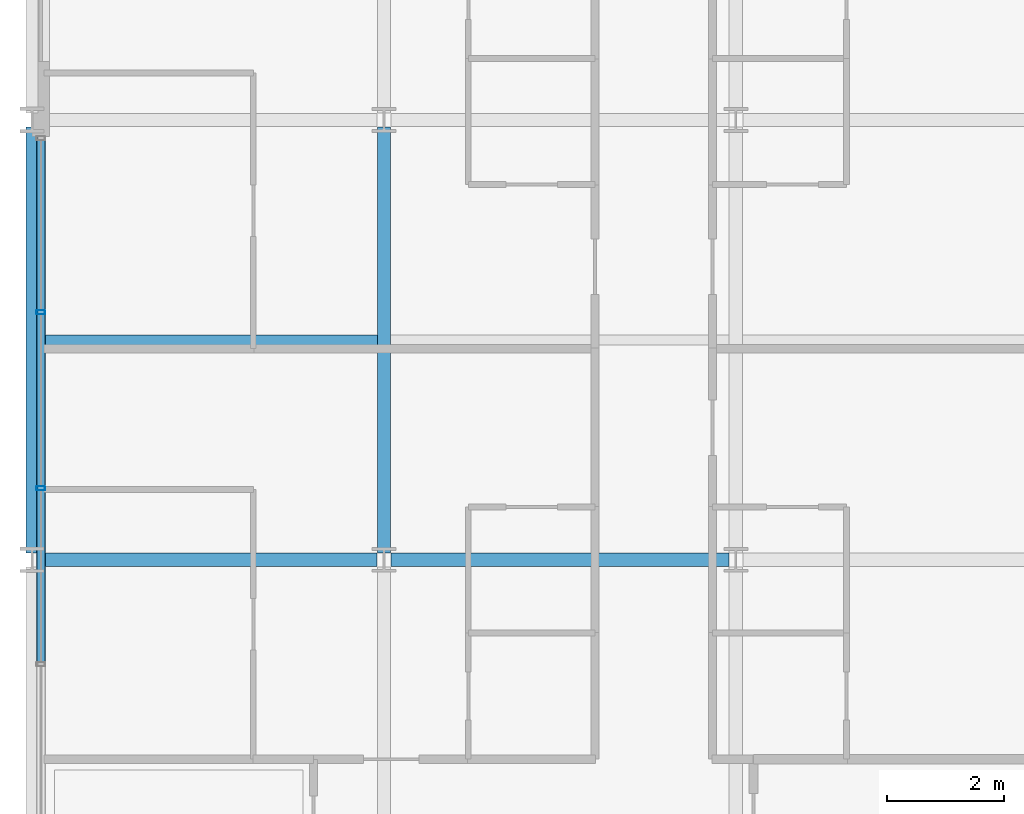
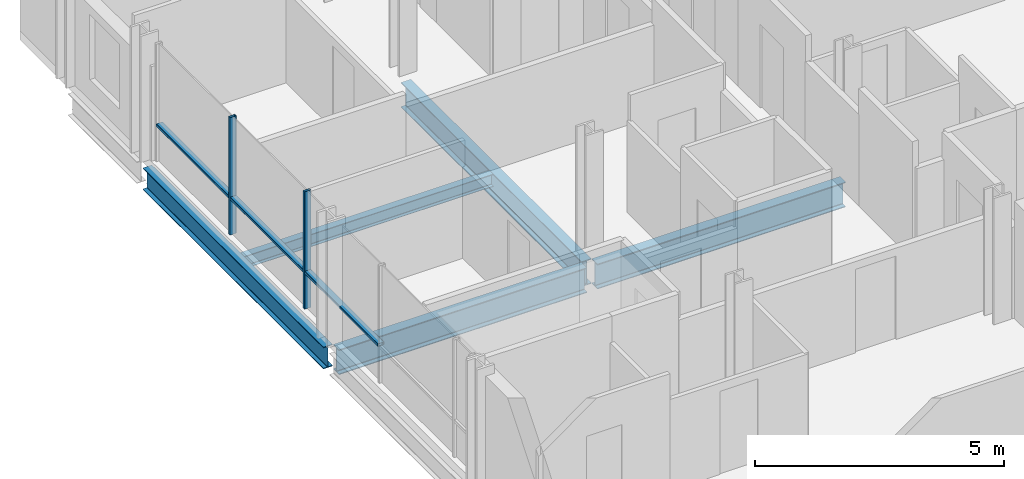
# One storey, part 5 of 41: 5 beams, 5 members, 1 element without a shape of its own.
"""IFC4 building model written with IfcOpenShell, lengths in metres."""

from ifc_helpers import new_model, si_unit, direction, frame, origin, origin_2d, place, context, subcontext, project, spatial, hollow_rectangle, i_section, extrude, material, layer, layer_set, material_profile, profile_set, type_object, element, aggregate, save


model = new_model("IFC4")

# Units and contexts
model_context = context("Model", 3, precision=1e-05, world=origin(), true_north=direction((0.0, 1.0)))
body_context = subcontext(model_context, "Body", "Model", "MODEL_VIEW")
ifc_project = project(units=[si_unit("LENGTHUNIT", "METRE"), si_unit("AREAUNIT", "SQUARE_METRE"), si_unit("VOLUMEUNIT", "CUBIC_METRE"), si_unit("PLANEANGLEUNIT", "RADIAN"), si_unit("MASSUNIT", "GRAM", prefix="KILO")], contexts=[model_context])

# Site, building, storey
site_placement = place(None, origin())
site = spatial("IfcSite", under=ifc_project, at=site_placement, CompositionType="ELEMENT")
building_placement = place(site_placement, origin())
building = spatial("IfcBuilding", under=site, at=building_placement, Name="Brevholm Reach", CompositionType="ELEMENT")
storey_placement = place(building_placement, frame((0.0, 0.0, 112.800048828125)))
storey = spatial("IfcBuildingStorey", under=building, at=storey_placement, Name="L33", CompositionType="ELEMENT", Elevation=112.800048828125)

# Beams
ifc_material_1 = material(Name="Structural Steel S355J2", Category="steel")
ifc_material_profile_1 = material_profile(ifc_material_1, i_section(OverallWidth=0.1650390625, OverallDepth=0.303466796875, WebThickness=0.006103515625, FlangeThickness=0.01025390625, FilletRadius=0.0087890625, at=origin_2d()), Name="UKB 305x165x40")
ifc_profile_set_1 = profile_set([ifc_material_profile_1], Name="Structural Steel S355J2")
beam_type_1 = type_object("IfcBeamType", Name="BM-B305", PredefinedType="BEAM", material=ifc_profile_set_1)
beam_1_placement = place(storey_placement, frame((0.104736328125, 19.75, -0.371826171875), z_axis=(1.0, 0.0, 0.0), x_axis=(0.0, 1.0, 0.0)))
element("IfcBeam", 1, at=beam_1_placement, inside=storey, type_object=beam_type_1, Name="L33 Composite Secondary Floor Beam", PredefinedType="BEAM", context=body_context, shape_type="SweptSolid", body=[
    extrude(i_section(OverallWidth=0.1650390625, OverallDepth=0.303466796875, WebThickness=0.006103515625, FlangeThickness=0.01025390625, FilletRadius=0.0087890625, at=origin_2d()), origin(), (0.0, 0.0, 1.0), 5.78076171875),
])
ifc_material_2 = material(Name="Structural Steel S355J2", Category="steel")
ifc_material_profile_2 = material_profile(ifc_material_2, i_section(OverallWidth=0.209228515625, OverallDepth=0.533203125, WebThickness=0.010009765625, FlangeThickness=0.015625, FilletRadius=0.0126953125, at=origin_2d()), Name="UKB 533x210x92")
ifc_profile_set_2 = profile_set([ifc_material_profile_2], Name="Structural Steel S355J2")
beam_type_2 = type_object("IfcBeamType", Name="BM-SP533", PredefinedType="SPANDREL", material=ifc_profile_set_2)
beam_2_placement = place(storey_placement, frame((0.0, 16.1201171875, -0.486572265625), z_axis=(0.0, 1.0, 0.0), x_axis=(-1.0, 0.0, 0.0)))
element("IfcBeam", 2, at=beam_2_placement, inside=storey, type_object=beam_type_2, Name="L33 SP-02 Framing Beam", PredefinedType="SPANDREL", context=body_context, shape_type="SweptSolid", body=[
    extrude(i_section(OverallWidth=0.209228515625, OverallDepth=0.533203125, WebThickness=0.010009765625, FlangeThickness=0.015625, FilletRadius=0.0126953125, at=origin_2d()), origin(), (0.0, 0.0, 1.0), 7.259765625),
])
ifc_material_3 = material(Name="Structural Steel S355J2", Category="steel")
ifc_material_profile_3 = material_profile(ifc_material_3, i_section(OverallWidth=0.22900390625, OverallDepth=0.6123046875, WebThickness=0.011962890625, FlangeThickness=0.01953125, FilletRadius=0.0126953125, at=origin_2d()), Name="UKB 610x229x125")
ifc_profile_set_3 = profile_set([ifc_material_profile_3], Name="Structural Steel S355J2")
beam_type_3 = type_object("IfcBeamType", Name="BM-SP610", PredefinedType="SPANDREL", material=ifc_profile_set_3)
for number, where, z_axis, x_axis, name in (
    (3, (0.1201171875, 16.0, -0.526123046875), (1.0, 0.0, 0.0), (0.0, 1.0, 0.0), "L33 SP-01 Framing Beam"),
    (4, (6.1201171875, 16.0, -0.526123046875), (1.0, 0.0, 0.0), (0.0, 1.0, 0.0), "L33 SP-01 Framing Beam"),
):
    element("IfcBeam", number, at=place(storey_placement, frame(where, z_axis=z_axis, x_axis=x_axis)), inside=storey, type_object=beam_type_3, Name=name, PredefinedType="SPANDREL", context=body_context, shape_type="SweptSolid", body=[
        extrude(i_section(OverallWidth=0.22900390625, OverallDepth=0.6123046875, WebThickness=0.011962890625, FlangeThickness=0.01953125, FilletRadius=0.0126953125, at=origin_2d()), origin(), (0.0, 0.0, 1.0), 5.759765625),
    ])
beam_3_placement = place(storey_placement, frame((6.0, 16.1201171875, -0.526123046875), z_axis=(0.0, 1.0, 0.0), x_axis=(-1.0, 0.0, 0.0)))
element("IfcBeam", 5, at=beam_3_placement, inside=storey, type_object=beam_type_3, Name="L33 SP-01 Framing Beam", PredefinedType="SPANDREL", context=body_context, shape_type="SweptSolid", body=[
    extrude(i_section(OverallWidth=0.22900390625, OverallDepth=0.6123046875, WebThickness=0.011962890625, FlangeThickness=0.01953125, FilletRadius=0.0126953125, at=origin_2d()), origin(), (0.0, 0.0, 1.0), 7.259765625),
])

# Curtain wall, members
ifc_material_4 = material(Name="Dark Anodised Aluminium 6063-T6 and Solar-Control Glass", Category="aluminium")
ifc_layer = layer(ifc_material_4, 0.14990234375)
ifc_layer_set = layer_set([ifc_layer], Name="Dark Anodised Aluminium 6063-T6 and Solar-Control Glass")
curtain_wall_type = type_object("IfcCurtainWallType", Name="CW-01", PredefinedType="NOTDEFINED", material=ifc_layer_set)
curtain_wall_placement = place(storey_placement, origin())
curtain_wall = element("IfcCurtainWall", 6, at=curtain_wall_placement, inside=storey, type_object=curtain_wall_type, Name="L33 Curtain Wall CW-01", PredefinedType="NOTDEFINED")
ifc_material_5 = material(Name="Dark Anodised Aluminium 6063-T6", Category="aluminium")
ifc_material_profile_4 = material_profile(ifc_material_5, hollow_rectangle(XDim=0.06494140625, YDim=0.14990234375, WallThickness=0.0048828125, InnerFilletRadius=0.0048828125, OuterFilletRadius=0.010009765625, at=origin_2d()), Name="RHS 150x65x5")
ifc_profile_set_4 = profile_set([ifc_material_profile_4], Name="Dark Anodised Aluminium 6063-T6")
member_type_1 = type_object("IfcMemberType", Name="CWM-150", PredefinedType="MULLION", material=ifc_profile_set_4)
member_1_placement = place(storey_placement, frame((0.14990234375, 20.219970703125, 0.0), z_axis=(0.0, 0.0, 1.0), x_axis=(0.0, -1.0, 0.0)))
member_1 = element("IfcMember", 7, at=member_1_placement, type_object=member_type_1, Name="CM-150 Mullion 2", PredefinedType="MULLION", context=body_context, shape_type="SweptSolid", body=[
    extrude(hollow_rectangle(XDim=0.06494140625, YDim=0.14990234375, WallThickness=0.0048828125, InnerFilletRadius=0.0048828125, OuterFilletRadius=0.010009765625, at=origin_2d()), origin(), (0.0, 0.0, 1.0), 2.8798828125),
])
member_2_placement = place(storey_placement, frame((0.14990234375, 17.219970703125, 0.0), z_axis=(0.0, 0.0, 1.0), x_axis=(0.0, -1.0, 0.0)))
member_2 = element("IfcMember", 8, at=member_2_placement, type_object=member_type_1, Name="CM-150 Mullion 3", PredefinedType="MULLION", context=body_context, shape_type="SweptSolid", body=[
    extrude(hollow_rectangle(XDim=0.06494140625, YDim=0.14990234375, WallThickness=0.0048828125, InnerFilletRadius=0.0048828125, OuterFilletRadius=0.010009765625, at=origin_2d()), origin(), (0.0, 0.0, 1.0), 2.8798828125),
])
ifc_material_6 = material(Name="Dark Anodised Aluminium 6063-T6", Category="aluminium")
ifc_material_profile_5 = material_profile(ifc_material_6, hollow_rectangle(XDim=0.06494140625, YDim=0.14990234375, WallThickness=0.0048828125, InnerFilletRadius=0.0048828125, OuterFilletRadius=0.010009765625, at=origin_2d()), Name="RHS 150x65x5")
ifc_profile_set_5 = profile_set([ifc_material_profile_5], Name="Dark Anodised Aluminium 6063-T6")
member_type_2 = type_object("IfcMemberType", Name="CWT-150", PredefinedType="NOTDEFINED", material=ifc_profile_set_5)
member_3_placement = place(storey_placement, frame((0.14990234375, 23.155029296875, 0.89990234375), z_axis=(0.0, -1.0, 0.0), x_axis=(0.0, 0.0, 1.0)))
member_3 = element("IfcMember", 9, at=member_3_placement, type_object=member_type_2, Name="CT-150 Transom 1.1", ObjectType="TRANSOM", PredefinedType="USERDEFINED", context=body_context, shape_type="SweptSolid", body=[
    extrude(hollow_rectangle(XDim=0.06494140625, YDim=0.14990234375, WallThickness=0.0048828125, InnerFilletRadius=0.0048828125, OuterFilletRadius=0.010009765625, at=origin_2d()), origin(), (0.0, 0.0, 1.0), 2.902587890625),
])
member_4_placement = place(storey_placement, frame((0.14990234375, 20.1875, 0.89990234375), z_axis=(0.0, -1.0, 0.0), x_axis=(0.0, 0.0, 1.0)))
member_4 = element("IfcMember", 10, at=member_4_placement, type_object=member_type_2, Name="CT-150 Transom 2.1", ObjectType="TRANSOM", PredefinedType="USERDEFINED", context=body_context, shape_type="SweptSolid", body=[
    extrude(hollow_rectangle(XDim=0.06494140625, YDim=0.14990234375, WallThickness=0.0048828125, InnerFilletRadius=0.0048828125, OuterFilletRadius=0.010009765625, at=origin_2d()), origin(), (0.0, 0.0, 1.0), 2.93505859375),
])
member_5_placement = place(storey_placement, frame((0.14990234375, 17.1875, 0.89990234375), z_axis=(0.0, -1.0, 0.0), x_axis=(0.0, 0.0, 1.0)))
member_5 = element("IfcMember", 11, at=member_5_placement, type_object=member_type_2, Name="CT-150 Transom 3.1", ObjectType="TRANSOM", PredefinedType="USERDEFINED", context=body_context, shape_type="SweptSolid", body=[
    extrude(hollow_rectangle(XDim=0.06494140625, YDim=0.14990234375, WallThickness=0.0048828125, InnerFilletRadius=0.0048828125, OuterFilletRadius=0.010009765625, at=origin_2d()), origin(), (0.0, 0.0, 1.0), 2.93505859375),
])
aggregate(curtain_wall, [member_1, member_2, member_3, member_4, member_5])

save(model, "model.ifc")
